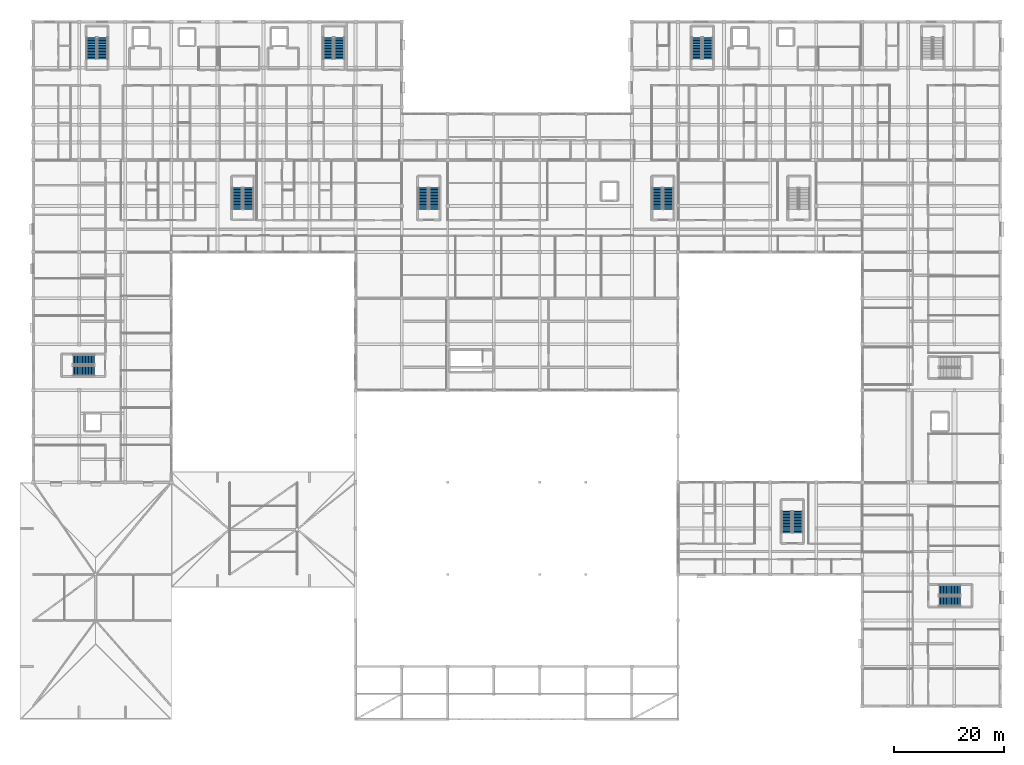
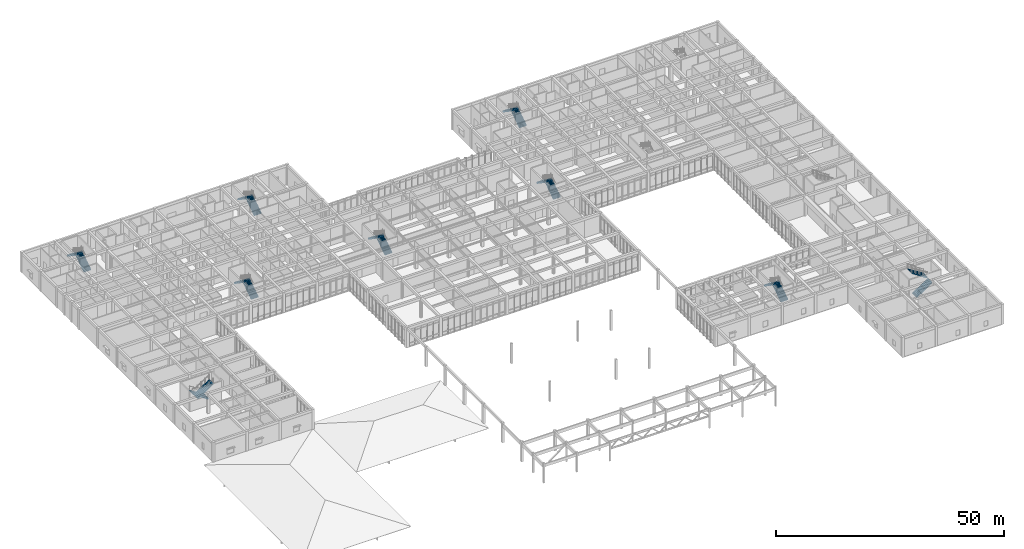
# One storey, part 72 of 89: 18 stair flights, 9 elements without a shape of their own.
"""IFC4 building model written with IfcOpenShell, lengths in metres."""

import ifcopenshell
import ifcopenshell.guid

model = None  # the IFC model being written
_history = None  # IfcOwnerHistory: only IFC2X3 demands one
_inside = {}  # id of a spatial element -> (the spatial element, [elements in it])
_under = {}  # id of a project, library or spatial element -> (it, [spatial elements below it])
_declared = {}  # id of a project -> (the project, [libraries it declares])
_typed = {}  # id of a type object -> (the type object, [elements of that type])
_made_of = {}  # id of a material, layer set ... -> (it, [elements and type objects made of it])


def new_model(schema):
    """Start an empty IFC model of exactly this schema.

    Asked for "IFC4X3", IfcOpenShell would pick the latest addendum, in which some entities
    have other attributes; the version numbers below select the first issue.
    IFC2X3 requires an IfcOwnerHistory on every rooted entity: one is made here for all.
    """
    global model, _history
    if schema == "IFC4X3":
        model = ifcopenshell.file(schema_version=(4, 3, 0, 0))
    else:
        model = ifcopenshell.file(schema=schema)
    _inside.clear()
    _under.clear()
    _declared.clear()
    _typed.clear()
    _made_of.clear()
    _history = None
    if model.schema == "IFC2X3":
        org = make("IfcOrganization", Name="unknown")
        user = make(
            "IfcPersonAndOrganization",
            ThePerson=make("IfcPerson", FamilyName="unknown"),
            TheOrganization=org,
        )
        app = make(
            "IfcApplication",
            ApplicationDeveloper=org,
            Version="unknown",
            ApplicationFullName="unknown",
            ApplicationIdentifier="unknown",
        )
        _history = make(
            "IfcOwnerHistory",
            OwningUser=user,
            OwningApplication=app,
            ChangeAction="ADDED",
            CreationDate=0,
        )
    return model


def make(cls, **values):
    """One entity of the class cls with the attributes given. An attribute that is None is left unset."""
    return model.create_entity(
        cls, **{name: value for name, value in values.items() if value is not None}
    )


def rooted(cls, **values):
    """An entity with a GlobalId (a new one), such as an element, a storey or a relation."""
    return make(cls, GlobalId=ifcopenshell.guid.new(), OwnerHistory=_history, **values)


def si_unit(unit_type, name, prefix=None):
    """IfcSIUnit, for example si_unit("LENGTHUNIT", "METRE", prefix="MILLI")."""
    return make("IfcSIUnit", UnitType=unit_type, Prefix=prefix, Name=name)


def assignment(units):
    """IfcUnitAssignment: the units of a project."""
    return None if units is None else make("IfcUnitAssignment", Units=units)


def point(xyz):
    """IfcCartesianPoint."""
    return None if xyz is None else make("IfcCartesianPoint", Coordinates=xyz)


def direction(xyz):
    """IfcDirection."""
    return None if xyz is None else make("IfcDirection", DirectionRatios=xyz)


def frame(location, z_axis=None, x_axis=None):
    """IfcAxis2Placement3D, a coordinate frame: its origin and axes. An axis left out is left unset."""
    return make(
        "IfcAxis2Placement3D",
        Location=point(location),
        Axis=direction(z_axis),
        RefDirection=direction(x_axis),
    )


def origin():
    """The frame at (0, 0, 0) with its axes left unset."""
    return frame((0.0, 0.0, 0.0))


def place(relative_to, where):
    """IfcLocalPlacement: puts the frame where relative to a parent placement (None: the world)."""
    return make(
        "IfcLocalPlacement", PlacementRelTo=relative_to, RelativePlacement=where
    )


def context(
    kind, dimensions, precision=None, world=None, true_north=None, identifier=None
):
    """IfcGeometricRepresentationContext, for example the 3D "Model" context."""
    return make(
        "IfcGeometricRepresentationContext",
        ContextIdentifier=identifier,
        ContextType=kind,
        CoordinateSpaceDimension=dimensions,
        Precision=precision,
        WorldCoordinateSystem=world,
        TrueNorth=true_north,
    )


def subcontext(parent, identifier, kind, view, scale=None):
    """IfcGeometricRepresentationSubContext, for example "Body" below "Model"."""
    return make(
        "IfcGeometricRepresentationSubContext",
        ContextIdentifier=identifier,
        ContextType=kind,
        ParentContext=parent,
        TargetScale=scale,
        TargetView=view,
    )


def project(units=None, contexts=None):
    """IfcProject with its units and contexts."""
    return rooted(
        "IfcProject",
        Name="project",
        RepresentationContexts=contexts,
        UnitsInContext=assignment(units),
    )


def spatial(cls, under=None, at=None, **own):
    """A site, building, storey or space (cls), placed at a placement, below another one or the project."""
    s = rooted(cls, ObjectPlacement=at, **own)
    if under is not None:
        _under.setdefault(under.id(), (under, []))[1].append(s)
    return s


def polyline(points):
    """IfcPolyline through the points."""
    return make("IfcPolyline", Points=[point(p) for p in points])


def outline(outer, holes=None, kind="AREA"):
    """IfcArbitraryClosedProfileDef: a profile drawn as a closed curve; with holes, ...WithVoids."""
    if holes is None:
        return make("IfcArbitraryClosedProfileDef", ProfileType=kind, OuterCurve=outer)
    return make(
        "IfcArbitraryProfileDefWithVoids",
        ProfileType=kind,
        OuterCurve=outer,
        InnerCurves=holes,
    )


def extrude(swept, where, along, depth):
    """IfcExtrudedAreaSolid: the profile swept, set in the frame where, extruded along a direction by depth."""
    return make(
        "IfcExtrudedAreaSolid",
        SweptArea=swept,
        Position=where,
        ExtrudedDirection=direction(along),
        Depth=depth,
    )


def shape(context_of_items, identifier, shape_type, items):
    """IfcShapeRepresentation: the items that make up one representation, for example the "Body"."""
    return make(
        "IfcShapeRepresentation",
        ContextOfItems=context_of_items,
        RepresentationIdentifier=identifier,
        RepresentationType=shape_type,
        Items=items,
    )


def material(Name=None, Category=None):
    """IfcMaterial."""
    return make("IfcMaterial", Name=Name, Category=Category)


def made_of(thing, what):
    """Note that an element or type object is made of a material, layer set ...; save() writes the relation."""
    if what is not None:
        _made_of.setdefault(what.id(), (what, []))[1].append(thing)
    return thing


def type_object(cls, material=None, **own):
    """A type object (cls), such as IfcWallType, which elements share."""
    return made_of(rooted(cls, **own), material)


def element(
    cls,
    number,
    at=None,
    inside=None,
    cuts=None,
    type_object=None,
    material=None,
    context=None,
    identifier="Body",
    shape_type=None,
    held_by="IfcProductDefinitionShape",
    body=None,
    shapes=None,
    **own,
):
    """One element of the class cls, such as IfcWall. Its Tag is "e" and its number.

    at: its placement. inside: the storey or other place that contains it. cuts: it is an
    opening in that element (IfcRelVoidsElement). A single representation is given by context,
    identifier, shape_type and body (its items); several are given by shapes. held_by: the class
    of the entity that holds the representations. save() writes the other relations.
    """
    e = rooted(cls, Tag="e%d" % number, ObjectPlacement=at, **own)
    if body is not None:
        shapes = [shape(context, identifier, shape_type, body)]
    if shapes is not None:
        e.Representation = make(held_by, Representations=shapes)
    if inside is not None:
        _inside.setdefault(inside.id(), (inside, []))[1].append(e)
    if cuts is not None:
        rooted(
            "IfcRelVoidsElement", RelatingBuildingElement=cuts, RelatedOpeningElement=e
        )
    if type_object is not None:
        _typed.setdefault(type_object.id(), (type_object, []))[1].append(e)
    return made_of(e, material)


def aggregate(whole, parts):
    """IfcRelAggregates: a whole, such as a stair, and the parts it consists of."""
    return rooted("IfcRelAggregates", RelatingObject=whole, RelatedObjects=parts)


def save(model, path):
    """Write the relations noted so far, then the file.

    IfcRelAggregates (storeys below a building ...), IfcRelContainedInSpatialStructure (elements
    in a storey), IfcRelDefinesByType, IfcRelAssociatesMaterial and IfcRelDeclares: one each for
    every whole, place, type object, material and project.
    """
    for whole, parts in _under.values():
        aggregate(whole, parts)
    for where, things in _inside.values():
        rooted(
            "IfcRelContainedInSpatialStructure",
            RelatedElements=things,
            RelatingStructure=where,
        )
    for kind, things in _typed.values():
        rooted("IfcRelDefinesByType", RelatedObjects=things, RelatingType=kind)
    for what, things in _made_of.values():
        rooted("IfcRelAssociatesMaterial", RelatedObjects=things, RelatingMaterial=what)
    for by, libraries in _declared.values():
        rooted("IfcRelDeclares", RelatingContext=by, RelatedDefinitions=libraries)
    model.write(path)


model = new_model("IFC4")

# Units and contexts
model_context = context("Model", 3, precision=1e-05, world=origin(), true_north=direction((0.0, 1.0)))
body_context = subcontext(model_context, "Body", "Model", "MODEL_VIEW")
ifc_project = project(units=[si_unit("LENGTHUNIT", "METRE"), si_unit("AREAUNIT", "SQUARE_METRE"), si_unit("VOLUMEUNIT", "CUBIC_METRE"), si_unit("PLANEANGLEUNIT", "RADIAN"), si_unit("MASSUNIT", "GRAM", prefix="KILO")], contexts=[model_context])

# Site, building, storey
site_placement = place(None, origin())
site = spatial("IfcSite", under=ifc_project, at=site_placement, CompositionType="ELEMENT")
building_placement = place(site_placement, origin())
building = spatial("IfcBuilding", under=site, at=building_placement, Name="Varncliffe General Hospital", CompositionType="ELEMENT")
storey_placement = place(building_placement, frame((0.0, 0.0, 10.800048828125)))
storey = spatial("IfcBuildingStorey", under=building, at=storey_placement, Name="L02", CompositionType="ELEMENT", Elevation=10.800048828125)

# Stair, stair flights
ifc_material = material(Name="Concrete C35/45 (CSA A23.1 35 MPa)", Category="concrete")
stair_type = type_object("IfcStairType", Name="Hospital Stair Assembly ST-T02 (1850w-5400h)", PredefinedType="TWO_STRAIGHT_RUN_STAIR", material=ifc_material)
stair_1_placement = place(storey_placement, origin())
stair_1 = element("IfcStair", 1, at=stair_1_placement, inside=storey, type_object=stair_type, Name="L02 North-West Ward Exit Stair 1", PredefinedType="TWO_STRAIGHT_RUN_STAIR")
stair_flight_type = type_object("IfcStairFlightType", Name="Hospital Stair Flight FL-T02 (1850w-5400h)", PredefinedType="STRAIGHT", material=ifc_material)
stair_flight_1_placement = place(storey_placement, frame((12.675048828125, 118.0, 0.0), z_axis=(0.0, 0.0, 1.0), x_axis=(0.0, 1.0, 0.0)))
stair_flight_1 = element("IfcStairFlight", 2, at=stair_flight_1_placement, type_object=stair_flight_type, Name="ST01 flight 1", NumberOfRisers=15, NumberOfTreads=14, PredefinedType="STRAIGHT", RiserHeight=0.18, TreadLength=0.28, context=body_context, shape_type="SweptSolid", body=[
    extrude(outline(polyline([(-0.02490234375, -0.14990234375), (-0.02490234375, 0.0), (0.0, 0.0), (0.0, 0.179931640625), (0.280029296875, 0.179931640625), (0.280029296875, 0.360107421875), (0.56005859375, 0.360107421875), (0.56005859375, 0.5400390625), (0.840087890625, 0.5400390625), (0.840087890625, 0.719970703125), (1.1201171875, 0.719970703125), (1.1201171875, 0.89990234375), (1.39990234375, 0.89990234375), (1.39990234375, 1.080078125), (1.679931640625, 1.080078125), (1.679931640625, 1.260009765625), (1.9599609375, 1.260009765625), (1.9599609375, 1.43994140625), (2.239990234375, 1.43994140625), (2.239990234375, 1.6201171875), (2.52001953125, 1.6201171875), (2.52001953125, 1.800048828125), (2.800048828125, 1.800048828125), (2.800048828125, 1.97998046875), (3.080078125, 1.97998046875), (3.080078125, 2.159912109375), (3.360107421875, 2.159912109375), (3.360107421875, 2.340087890625), (3.639892578125, 2.340087890625), (3.639892578125, 2.52001953125), (3.919921875, 2.52001953125), (3.919921875, 2.699951171875), (3.94482421875, 2.699951171875), (3.94482421875, 2.550048828125), (3.919921875, 2.341796875), (0.277099609375, -0.14990234375), (-0.02490234375, -0.14990234375)])), frame((0.0, 0.925048828125, 0.0), z_axis=(0.0, -1.0, 0.0), x_axis=(1.0, 0.0, 0.0)), (0.0, 0.0, 1.0), 1.85009765625),
])
stair_flight_2_placement = place(storey_placement, frame((10.625, 121.919921875, 2.699951171875), z_axis=(0.0, 0.0, 1.0), x_axis=(0.0, -1.0, 0.0)))
stair_flight_2 = element("IfcStairFlight", 3, at=stair_flight_2_placement, type_object=stair_flight_type, Name="ST01 flight 2", NumberOfRisers=15, NumberOfTreads=14, PredefinedType="STRAIGHT", RiserHeight=0.18, TreadLength=0.28, context=body_context, shape_type="SweptSolid", body=[
    extrude(outline(polyline([(-0.02490234375, -0.14990234375), (-0.02490234375, 0.0), (0.0, 0.0), (0.0, 0.179931640625), (0.280029296875, 0.179931640625), (0.280029296875, 0.360107421875), (0.56005859375, 0.360107421875), (0.56005859375, 0.5400390625), (0.840087890625, 0.5400390625), (0.840087890625, 0.719970703125), (1.1201171875, 0.719970703125), (1.1201171875, 0.89990234375), (1.39990234375, 0.89990234375), (1.39990234375, 1.080078125), (1.679931640625, 1.080078125), (1.679931640625, 1.260009765625), (1.9599609375, 1.260009765625), (1.9599609375, 1.43994140625), (2.239990234375, 1.43994140625), (2.239990234375, 1.6201171875), (2.52001953125, 1.6201171875), (2.52001953125, 1.800048828125), (2.800048828125, 1.800048828125), (2.800048828125, 1.97998046875), (3.080078125, 1.97998046875), (3.080078125, 2.159912109375), (3.360107421875, 2.159912109375), (3.360107421875, 2.340087890625), (3.639892578125, 2.340087890625), (3.639892578125, 2.52001953125), (3.919921875, 2.52001953125), (3.919921875, 2.699951171875), (3.94482421875, 2.699951171875), (3.94482421875, 2.550048828125), (3.919921875, 2.341796875), (0.277099609375, -0.14990234375), (-0.02490234375, -0.14990234375)])), frame((0.0, 0.925048828125, 0.0), z_axis=(0.0, -1.0, 0.0), x_axis=(1.0, 0.0, 0.0)), (0.0, 0.0, 1.0), 1.85009765625),
])
aggregate(stair_1, [stair_flight_1, stair_flight_2])

stair_2_placement = place(storey_placement, origin())
stair_2 = element("IfcStair", 4, at=stair_2_placement, inside=storey, type_object=stair_type, Name="L02 North-West Ward Exit Stair 2", PredefinedType="TWO_STRAIGHT_RUN_STAIR")
stair_flight_3_placement = place(storey_placement, frame((55.875, 118.0, 0.0), z_axis=(0.0, 0.0, 1.0), x_axis=(0.0, 1.0, 0.0)))
stair_flight_3 = element("IfcStairFlight", 5, at=stair_flight_3_placement, type_object=stair_flight_type, Name="ST02 flight 1", NumberOfRisers=15, NumberOfTreads=14, PredefinedType="STRAIGHT", RiserHeight=0.18, TreadLength=0.28, context=body_context, shape_type="SweptSolid", body=[
    extrude(outline(polyline([(-0.02490234375, -0.14990234375), (-0.02490234375, 0.0), (0.0, 0.0), (0.0, 0.179931640625), (0.280029296875, 0.179931640625), (0.280029296875, 0.360107421875), (0.56005859375, 0.360107421875), (0.56005859375, 0.5400390625), (0.840087890625, 0.5400390625), (0.840087890625, 0.719970703125), (1.1201171875, 0.719970703125), (1.1201171875, 0.89990234375), (1.39990234375, 0.89990234375), (1.39990234375, 1.080078125), (1.679931640625, 1.080078125), (1.679931640625, 1.260009765625), (1.9599609375, 1.260009765625), (1.9599609375, 1.43994140625), (2.239990234375, 1.43994140625), (2.239990234375, 1.6201171875), (2.52001953125, 1.6201171875), (2.52001953125, 1.800048828125), (2.800048828125, 1.800048828125), (2.800048828125, 1.97998046875), (3.080078125, 1.97998046875), (3.080078125, 2.159912109375), (3.360107421875, 2.159912109375), (3.360107421875, 2.340087890625), (3.639892578125, 2.340087890625), (3.639892578125, 2.52001953125), (3.919921875, 2.52001953125), (3.919921875, 2.699951171875), (3.94482421875, 2.699951171875), (3.94482421875, 2.550048828125), (3.919921875, 2.341796875), (0.277099609375, -0.14990234375), (-0.02490234375, -0.14990234375)])), frame((0.0, 0.925048828125, 0.0), z_axis=(0.0, -1.0, 0.0), x_axis=(1.0, 0.0, 0.0)), (0.0, 0.0, 1.0), 1.85009765625),
])
stair_flight_4_placement = place(storey_placement, frame((53.824951171875, 121.919921875, 2.699951171875), z_axis=(0.0, 0.0, 1.0), x_axis=(0.0, -1.0, 0.0)))
stair_flight_4 = element("IfcStairFlight", 6, at=stair_flight_4_placement, type_object=stair_flight_type, Name="ST02 flight 2", NumberOfRisers=15, NumberOfTreads=14, PredefinedType="STRAIGHT", RiserHeight=0.18, TreadLength=0.28, context=body_context, shape_type="SweptSolid", body=[
    extrude(outline(polyline([(-0.02490234375, -0.14990234375), (-0.02490234375, 0.0), (0.0, 0.0), (0.0, 0.179931640625), (0.280029296875, 0.179931640625), (0.280029296875, 0.360107421875), (0.56005859375, 0.360107421875), (0.56005859375, 0.5400390625), (0.840087890625, 0.5400390625), (0.840087890625, 0.719970703125), (1.1201171875, 0.719970703125), (1.1201171875, 0.89990234375), (1.39990234375, 0.89990234375), (1.39990234375, 1.080078125), (1.679931640625, 1.080078125), (1.679931640625, 1.260009765625), (1.9599609375, 1.260009765625), (1.9599609375, 1.43994140625), (2.239990234375, 1.43994140625), (2.239990234375, 1.6201171875), (2.52001953125, 1.6201171875), (2.52001953125, 1.800048828125), (2.800048828125, 1.800048828125), (2.800048828125, 1.97998046875), (3.080078125, 1.97998046875), (3.080078125, 2.159912109375), (3.360107421875, 2.159912109375), (3.360107421875, 2.340087890625), (3.639892578125, 2.340087890625), (3.639892578125, 2.52001953125), (3.919921875, 2.52001953125), (3.919921875, 2.699951171875), (3.94482421875, 2.699951171875), (3.94482421875, 2.550048828125), (3.919921875, 2.341796875), (0.277099609375, -0.14990234375), (-0.02490234375, -0.14990234375)])), frame((0.0, 0.925048828125, 0.0), z_axis=(0.0, -1.0, 0.0), x_axis=(1.0, 0.0, 0.0)), (0.0, 0.0, 1.0), 1.85009765625),
])
aggregate(stair_2, [stair_flight_3, stair_flight_4])

stair_3_placement = place(storey_placement, origin())
stair_3 = element("IfcStair", 7, at=stair_3_placement, inside=storey, type_object=stair_type, Name="L02 North-East Ward Exit Stair 3", PredefinedType="TWO_STRAIGHT_RUN_STAIR")
stair_flight_5_placement = place(storey_placement, frame((123.074951171875, 118.0, 0.0), z_axis=(0.0, 0.0, 1.0), x_axis=(0.0, 1.0, 0.0)))
stair_flight_5 = element("IfcStairFlight", 8, at=stair_flight_5_placement, type_object=stair_flight_type, Name="ST03 flight 1", NumberOfRisers=15, NumberOfTreads=14, PredefinedType="STRAIGHT", RiserHeight=0.18, TreadLength=0.28, context=body_context, shape_type="SweptSolid", body=[
    extrude(outline(polyline([(-0.02490234375, -0.14990234375), (-0.02490234375, 0.0), (0.0, 0.0), (0.0, 0.179931640625), (0.280029296875, 0.179931640625), (0.280029296875, 0.360107421875), (0.56005859375, 0.360107421875), (0.56005859375, 0.5400390625), (0.840087890625, 0.5400390625), (0.840087890625, 0.719970703125), (1.1201171875, 0.719970703125), (1.1201171875, 0.89990234375), (1.39990234375, 0.89990234375), (1.39990234375, 1.080078125), (1.679931640625, 1.080078125), (1.679931640625, 1.260009765625), (1.9599609375, 1.260009765625), (1.9599609375, 1.43994140625), (2.239990234375, 1.43994140625), (2.239990234375, 1.6201171875), (2.52001953125, 1.6201171875), (2.52001953125, 1.800048828125), (2.800048828125, 1.800048828125), (2.800048828125, 1.97998046875), (3.080078125, 1.97998046875), (3.080078125, 2.159912109375), (3.360107421875, 2.159912109375), (3.360107421875, 2.340087890625), (3.639892578125, 2.340087890625), (3.639892578125, 2.52001953125), (3.919921875, 2.52001953125), (3.919921875, 2.699951171875), (3.94482421875, 2.699951171875), (3.94482421875, 2.550048828125), (3.919921875, 2.341796875), (0.277099609375, -0.14990234375), (-0.02490234375, -0.14990234375)])), frame((0.0, 0.925048828125, 0.0), z_axis=(0.0, -1.0, 0.0), x_axis=(1.0, 0.0, 0.0)), (0.0, 0.0, 1.0), 1.85009765625),
])
stair_flight_6_placement = place(storey_placement, frame((121.02490234375, 121.919921875, 2.699951171875), z_axis=(0.0, 0.0, 1.0), x_axis=(0.0, -1.0, 0.0)))
stair_flight_6 = element("IfcStairFlight", 9, at=stair_flight_6_placement, type_object=stair_flight_type, Name="ST03 flight 2", NumberOfRisers=15, NumberOfTreads=14, PredefinedType="STRAIGHT", RiserHeight=0.18, TreadLength=0.28, context=body_context, shape_type="SweptSolid", body=[
    extrude(outline(polyline([(-0.02490234375, -0.14990234375), (-0.02490234375, 0.0), (0.0, 0.0), (0.0, 0.179931640625), (0.280029296875, 0.179931640625), (0.280029296875, 0.360107421875), (0.56005859375, 0.360107421875), (0.56005859375, 0.5400390625), (0.840087890625, 0.5400390625), (0.840087890625, 0.719970703125), (1.1201171875, 0.719970703125), (1.1201171875, 0.89990234375), (1.39990234375, 0.89990234375), (1.39990234375, 1.080078125), (1.679931640625, 1.080078125), (1.679931640625, 1.260009765625), (1.9599609375, 1.260009765625), (1.9599609375, 1.43994140625), (2.239990234375, 1.43994140625), (2.239990234375, 1.6201171875), (2.52001953125, 1.6201171875), (2.52001953125, 1.800048828125), (2.800048828125, 1.800048828125), (2.800048828125, 1.97998046875), (3.080078125, 1.97998046875), (3.080078125, 2.159912109375), (3.360107421875, 2.159912109375), (3.360107421875, 2.340087890625), (3.639892578125, 2.340087890625), (3.639892578125, 2.52001953125), (3.919921875, 2.52001953125), (3.919921875, 2.699951171875), (3.94482421875, 2.699951171875), (3.94482421875, 2.550048828125), (3.919921875, 2.341796875), (0.277099609375, -0.14990234375), (-0.02490234375, -0.14990234375)])), frame((0.0, 0.925048828125, 0.0), z_axis=(0.0, -1.0, 0.0), x_axis=(1.0, 0.0, 0.0)), (0.0, 0.0, 1.0), 1.85009765625),
])
aggregate(stair_3, [stair_flight_5, stair_flight_6])

stair_4_placement = place(storey_placement, origin())
stair_4 = element("IfcStair", 10, at=stair_4_placement, inside=storey, type_object=stair_type, Name="L02 Diagnostic West Exit Stair 5", PredefinedType="TWO_STRAIGHT_RUN_STAIR")
stair_flight_7_placement = place(storey_placement, frame((11.199951171875, 63.175048828125, 0.0), z_axis=(0.0, 0.0, 1.0), x_axis=(-1.0, 0.0, 0.0)))
stair_flight_7 = element("IfcStairFlight", 11, at=stair_flight_7_placement, type_object=stair_flight_type, Name="ST05 flight 1", NumberOfRisers=15, NumberOfTreads=14, PredefinedType="STRAIGHT", RiserHeight=0.18, TreadLength=0.28, context=body_context, shape_type="SweptSolid", body=[
    extrude(outline(polyline([(-0.02490234375, -0.14990234375), (-0.02490234375, 0.0), (0.0, 0.0), (0.0, 0.179931640625), (0.280029296875, 0.179931640625), (0.280029296875, 0.360107421875), (0.56005859375, 0.360107421875), (0.56005859375, 0.5400390625), (0.840087890625, 0.5400390625), (0.840087890625, 0.719970703125), (1.1201171875, 0.719970703125), (1.1201171875, 0.89990234375), (1.39990234375, 0.89990234375), (1.39990234375, 1.080078125), (1.679931640625, 1.080078125), (1.679931640625, 1.260009765625), (1.9599609375, 1.260009765625), (1.9599609375, 1.43994140625), (2.239990234375, 1.43994140625), (2.239990234375, 1.6201171875), (2.52001953125, 1.6201171875), (2.52001953125, 1.800048828125), (2.800048828125, 1.800048828125), (2.800048828125, 1.97998046875), (3.080078125, 1.97998046875), (3.080078125, 2.159912109375), (3.360107421875, 2.159912109375), (3.360107421875, 2.340087890625), (3.639892578125, 2.340087890625), (3.639892578125, 2.52001953125), (3.919921875, 2.52001953125), (3.919921875, 2.699951171875), (3.94482421875, 2.699951171875), (3.94482421875, 2.550048828125), (3.919921875, 2.341796875), (0.277099609375, -0.14990234375), (-0.02490234375, -0.14990234375)])), frame((0.0, 0.925048828125, 0.0), z_axis=(0.0, -1.0, 0.0), x_axis=(1.0, 0.0, 0.0)), (0.0, 0.0, 1.0), 1.85009765625),
])
stair_flight_8_placement = place(storey_placement, frame((7.280029296875, 61.125, 2.699951171875), z_axis=(0.0, 0.0, 1.0), x_axis=(1.0, 0.0, 0.0)))
stair_flight_8 = element("IfcStairFlight", 12, at=stair_flight_8_placement, type_object=stair_flight_type, Name="ST05 flight 2", NumberOfRisers=15, NumberOfTreads=14, PredefinedType="STRAIGHT", RiserHeight=0.18, TreadLength=0.28, context=body_context, shape_type="SweptSolid", body=[
    extrude(outline(polyline([(-0.02490234375, -0.14990234375), (-0.02490234375, 0.0), (0.0, 0.0), (0.0, 0.179931640625), (0.280029296875, 0.179931640625), (0.280029296875, 0.360107421875), (0.56005859375, 0.360107421875), (0.56005859375, 0.5400390625), (0.840087890625, 0.5400390625), (0.840087890625, 0.719970703125), (1.1201171875, 0.719970703125), (1.1201171875, 0.89990234375), (1.39990234375, 0.89990234375), (1.39990234375, 1.080078125), (1.679931640625, 1.080078125), (1.679931640625, 1.260009765625), (1.9599609375, 1.260009765625), (1.9599609375, 1.43994140625), (2.239990234375, 1.43994140625), (2.239990234375, 1.6201171875), (2.52001953125, 1.6201171875), (2.52001953125, 1.800048828125), (2.800048828125, 1.800048828125), (2.800048828125, 1.97998046875), (3.080078125, 1.97998046875), (3.080078125, 2.159912109375), (3.360107421875, 2.159912109375), (3.360107421875, 2.340087890625), (3.639892578125, 2.340087890625), (3.639892578125, 2.52001953125), (3.919921875, 2.52001953125), (3.919921875, 2.699951171875), (3.94482421875, 2.699951171875), (3.94482421875, 2.550048828125), (3.919921875, 2.341796875), (0.277099609375, -0.14990234375), (-0.02490234375, -0.14990234375)])), frame((0.0, 0.925048828125, 0.0), z_axis=(0.0, -1.0, 0.0), x_axis=(1.0, 0.0, 0.0)), (0.0, 0.0, 1.0), 1.85009765625),
])
aggregate(stair_4, [stair_flight_7, stair_flight_8])

stair_5_placement = place(storey_placement, origin())
stair_5 = element("IfcStair", 13, at=stair_5_placement, inside=storey, type_object=stair_type, Name="L02 Surgical and Helipad Exit Stair 6", PredefinedType="TWO_STRAIGHT_RUN_STAIR")
stair_flight_9_placement = place(storey_placement, frame((115.875, 90.60009765625, 0.0), z_axis=(0.0, 0.0, 1.0), x_axis=(0.0, 1.0, 0.0)))
stair_flight_9 = element("IfcStairFlight", 14, at=stair_flight_9_placement, type_object=stair_flight_type, Name="ST06 flight 1", NumberOfRisers=15, NumberOfTreads=14, PredefinedType="STRAIGHT", RiserHeight=0.18, TreadLength=0.28, context=body_context, shape_type="SweptSolid", body=[
    extrude(outline(polyline([(-0.02490234375, -0.14990234375), (-0.02490234375, 0.0), (0.0, 0.0), (0.0, 0.179931640625), (0.280029296875, 0.179931640625), (0.280029296875, 0.360107421875), (0.56005859375, 0.360107421875), (0.56005859375, 0.5400390625), (0.840087890625, 0.5400390625), (0.840087890625, 0.719970703125), (1.1201171875, 0.719970703125), (1.1201171875, 0.89990234375), (1.39990234375, 0.89990234375), (1.39990234375, 1.080078125), (1.679931640625, 1.080078125), (1.679931640625, 1.260009765625), (1.9599609375, 1.260009765625), (1.9599609375, 1.43994140625), (2.239990234375, 1.43994140625), (2.239990234375, 1.6201171875), (2.52001953125, 1.6201171875), (2.52001953125, 1.800048828125), (2.800048828125, 1.800048828125), (2.800048828125, 1.97998046875), (3.080078125, 1.97998046875), (3.080078125, 2.159912109375), (3.360107421875, 2.159912109375), (3.360107421875, 2.340087890625), (3.639892578125, 2.340087890625), (3.639892578125, 2.52001953125), (3.919921875, 2.52001953125), (3.919921875, 2.699951171875), (3.94482421875, 2.699951171875), (3.94482421875, 2.550048828125), (3.919921875, 2.341796875), (0.277099609375, -0.14990234375), (-0.02490234375, -0.14990234375)])), frame((0.0, 0.925048828125, 0.0), z_axis=(0.0, -1.0, 0.0), x_axis=(1.0, 0.0, 0.0)), (0.0, 0.0, 1.0), 1.85009765625),
])
stair_flight_10_placement = place(storey_placement, frame((113.824951171875, 94.52001953125, 2.699951171875), z_axis=(0.0, 0.0, 1.0), x_axis=(0.0, -1.0, 0.0)))
stair_flight_10 = element("IfcStairFlight", 15, at=stair_flight_10_placement, type_object=stair_flight_type, Name="ST06 flight 2", NumberOfRisers=15, NumberOfTreads=14, PredefinedType="STRAIGHT", RiserHeight=0.18, TreadLength=0.28, context=body_context, shape_type="SweptSolid", body=[
    extrude(outline(polyline([(-0.02490234375, -0.14990234375), (-0.02490234375, 0.0), (0.0, 0.0), (0.0, 0.179931640625), (0.280029296875, 0.179931640625), (0.280029296875, 0.360107421875), (0.56005859375, 0.360107421875), (0.56005859375, 0.5400390625), (0.840087890625, 0.5400390625), (0.840087890625, 0.719970703125), (1.1201171875, 0.719970703125), (1.1201171875, 0.89990234375), (1.39990234375, 0.89990234375), (1.39990234375, 1.080078125), (1.679931640625, 1.080078125), (1.679931640625, 1.260009765625), (1.9599609375, 1.260009765625), (1.9599609375, 1.43994140625), (2.239990234375, 1.43994140625), (2.239990234375, 1.6201171875), (2.52001953125, 1.6201171875), (2.52001953125, 1.800048828125), (2.800048828125, 1.800048828125), (2.800048828125, 1.97998046875), (3.080078125, 1.97998046875), (3.080078125, 2.159912109375), (3.360107421875, 2.159912109375), (3.360107421875, 2.340087890625), (3.639892578125, 2.340087890625), (3.639892578125, 2.52001953125), (3.919921875, 2.52001953125), (3.919921875, 2.699951171875), (3.94482421875, 2.699951171875), (3.94482421875, 2.550048828125), (3.919921875, 2.341796875), (0.277099609375, -0.14990234375), (-0.02490234375, -0.14990234375)])), frame((0.0, 0.925048828125, 0.0), z_axis=(0.0, -1.0, 0.0), x_axis=(1.0, 0.0, 0.0)), (0.0, 0.0, 1.0), 1.85009765625),
])
aggregate(stair_5, [stair_flight_9, stair_flight_10])

stair_6_placement = place(storey_placement, origin())
stair_6 = element("IfcStair", 16, at=stair_6_placement, inside=storey, type_object=stair_type, Name="L02 Outpatient South-East Exit Stair 11", PredefinedType="TWO_STRAIGHT_RUN_STAIR")
stair_flight_11_placement = place(storey_placement, frame((165.199951171875, 19.125, 0.0), z_axis=(0.0, 0.0, 1.0), x_axis=(1.0, 0.0, 0.0)))
stair_flight_11 = element("IfcStairFlight", 17, at=stair_flight_11_placement, type_object=stair_flight_type, Name="ST11 flight 1", NumberOfRisers=15, NumberOfTreads=14, PredefinedType="STRAIGHT", RiserHeight=0.18, TreadLength=0.28, context=body_context, shape_type="SweptSolid", body=[
    extrude(outline(polyline([(-0.02490234375, -0.14990234375), (-0.02490234375, 0.0), (0.0, 0.0), (0.0, 0.179931640625), (0.280029296875, 0.179931640625), (0.280029296875, 0.360107421875), (0.56005859375, 0.360107421875), (0.56005859375, 0.5400390625), (0.840087890625, 0.5400390625), (0.840087890625, 0.719970703125), (1.1201171875, 0.719970703125), (1.1201171875, 0.89990234375), (1.39990234375, 0.89990234375), (1.39990234375, 1.080078125), (1.679931640625, 1.080078125), (1.679931640625, 1.260009765625), (1.9599609375, 1.260009765625), (1.9599609375, 1.43994140625), (2.239990234375, 1.43994140625), (2.239990234375, 1.6201171875), (2.52001953125, 1.6201171875), (2.52001953125, 1.800048828125), (2.800048828125, 1.800048828125), (2.800048828125, 1.97998046875), (3.080078125, 1.97998046875), (3.080078125, 2.159912109375), (3.360107421875, 2.159912109375), (3.360107421875, 2.340087890625), (3.639892578125, 2.340087890625), (3.639892578125, 2.52001953125), (3.919921875, 2.52001953125), (3.919921875, 2.699951171875), (3.94482421875, 2.699951171875), (3.94482421875, 2.550048828125), (3.919921875, 2.341796875), (0.277099609375, -0.14990234375), (-0.02490234375, -0.14990234375)])), frame((0.0, 0.925048828125, 0.0), z_axis=(0.0, -1.0, 0.0), x_axis=(1.0, 0.0, 0.0)), (0.0, 0.0, 1.0), 1.85009765625),
])
stair_flight_12_placement = place(storey_placement, frame((169.1201171875, 21.175048828125, 2.699951171875), z_axis=(0.0, 0.0, 1.0), x_axis=(-1.0, 0.0, 0.0)))
stair_flight_12 = element("IfcStairFlight", 18, at=stair_flight_12_placement, type_object=stair_flight_type, Name="ST11 flight 2", NumberOfRisers=15, NumberOfTreads=14, PredefinedType="STRAIGHT", RiserHeight=0.18, TreadLength=0.28, context=body_context, shape_type="SweptSolid", body=[
    extrude(outline(polyline([(-0.02490234375, -0.14990234375), (-0.02490234375, 0.0), (0.0, 0.0), (0.0, 0.179931640625), (0.280029296875, 0.179931640625), (0.280029296875, 0.360107421875), (0.56005859375, 0.360107421875), (0.56005859375, 0.5400390625), (0.840087890625, 0.5400390625), (0.840087890625, 0.719970703125), (1.1201171875, 0.719970703125), (1.1201171875, 0.89990234375), (1.39990234375, 0.89990234375), (1.39990234375, 1.080078125), (1.679931640625, 1.080078125), (1.679931640625, 1.260009765625), (1.9599609375, 1.260009765625), (1.9599609375, 1.43994140625), (2.239990234375, 1.43994140625), (2.239990234375, 1.6201171875), (2.52001953125, 1.6201171875), (2.52001953125, 1.800048828125), (2.800048828125, 1.800048828125), (2.800048828125, 1.97998046875), (3.080078125, 1.97998046875), (3.080078125, 2.159912109375), (3.360107421875, 2.159912109375), (3.360107421875, 2.340087890625), (3.639892578125, 2.340087890625), (3.639892578125, 2.52001953125), (3.919921875, 2.52001953125), (3.919921875, 2.699951171875), (3.94482421875, 2.699951171875), (3.94482421875, 2.550048828125), (3.919921875, 2.341796875), (0.277099609375, -0.14990234375), (-0.02490234375, -0.14990234375)])), frame((0.0, 0.925048828125, 0.0), z_axis=(0.0, -1.0, 0.0), x_axis=(1.0, 0.0, 0.0)), (0.0, 0.0, 1.0), 1.85009765625),
])
aggregate(stair_6, [stair_flight_11, stair_flight_12])

stair_7_placement = place(storey_placement, origin())
stair_7 = element("IfcStair", 19, at=stair_7_placement, inside=storey, type_object=stair_type, Name="L02 Surgical West Exit Stair 12", PredefinedType="TWO_STRAIGHT_RUN_STAIR")
stair_flight_13_placement = place(storey_placement, frame((73.175048828125, 90.60009765625, 0.0), z_axis=(0.0, 0.0, 1.0), x_axis=(0.0, 1.0, 0.0)))
stair_flight_13 = element("IfcStairFlight", 20, at=stair_flight_13_placement, type_object=stair_flight_type, Name="ST12 flight 1", NumberOfRisers=15, NumberOfTreads=14, PredefinedType="STRAIGHT", RiserHeight=0.18, TreadLength=0.28, context=body_context, shape_type="SweptSolid", body=[
    extrude(outline(polyline([(-0.02490234375, -0.14990234375), (-0.02490234375, 0.0), (0.0, 0.0), (0.0, 0.179931640625), (0.280029296875, 0.179931640625), (0.280029296875, 0.360107421875), (0.56005859375, 0.360107421875), (0.56005859375, 0.5400390625), (0.840087890625, 0.5400390625), (0.840087890625, 0.719970703125), (1.1201171875, 0.719970703125), (1.1201171875, 0.89990234375), (1.39990234375, 0.89990234375), (1.39990234375, 1.080078125), (1.679931640625, 1.080078125), (1.679931640625, 1.260009765625), (1.9599609375, 1.260009765625), (1.9599609375, 1.43994140625), (2.239990234375, 1.43994140625), (2.239990234375, 1.6201171875), (2.52001953125, 1.6201171875), (2.52001953125, 1.800048828125), (2.800048828125, 1.800048828125), (2.800048828125, 1.97998046875), (3.080078125, 1.97998046875), (3.080078125, 2.159912109375), (3.360107421875, 2.159912109375), (3.360107421875, 2.340087890625), (3.639892578125, 2.340087890625), (3.639892578125, 2.52001953125), (3.919921875, 2.52001953125), (3.919921875, 2.699951171875), (3.94482421875, 2.699951171875), (3.94482421875, 2.550048828125), (3.919921875, 2.341796875), (0.277099609375, -0.14990234375), (-0.02490234375, -0.14990234375)])), frame((0.0, 0.925048828125, 0.0), z_axis=(0.0, -1.0, 0.0), x_axis=(1.0, 0.0, 0.0)), (0.0, 0.0, 1.0), 1.85009765625),
])
stair_flight_14_placement = place(storey_placement, frame((71.125, 94.52001953125, 2.699951171875), z_axis=(0.0, 0.0, 1.0), x_axis=(0.0, -1.0, 0.0)))
stair_flight_14 = element("IfcStairFlight", 21, at=stair_flight_14_placement, type_object=stair_flight_type, Name="ST12 flight 2", NumberOfRisers=15, NumberOfTreads=14, PredefinedType="STRAIGHT", RiserHeight=0.18, TreadLength=0.28, context=body_context, shape_type="SweptSolid", body=[
    extrude(outline(polyline([(-0.02490234375, -0.14990234375), (-0.02490234375, 0.0), (0.0, 0.0), (0.0, 0.179931640625), (0.280029296875, 0.179931640625), (0.280029296875, 0.360107421875), (0.56005859375, 0.360107421875), (0.56005859375, 0.5400390625), (0.840087890625, 0.5400390625), (0.840087890625, 0.719970703125), (1.1201171875, 0.719970703125), (1.1201171875, 0.89990234375), (1.39990234375, 0.89990234375), (1.39990234375, 1.080078125), (1.679931640625, 1.080078125), (1.679931640625, 1.260009765625), (1.9599609375, 1.260009765625), (1.9599609375, 1.43994140625), (2.239990234375, 1.43994140625), (2.239990234375, 1.6201171875), (2.52001953125, 1.6201171875), (2.52001953125, 1.800048828125), (2.800048828125, 1.800048828125), (2.800048828125, 1.97998046875), (3.080078125, 1.97998046875), (3.080078125, 2.159912109375), (3.360107421875, 2.159912109375), (3.360107421875, 2.340087890625), (3.639892578125, 2.340087890625), (3.639892578125, 2.52001953125), (3.919921875, 2.52001953125), (3.919921875, 2.699951171875), (3.94482421875, 2.699951171875), (3.94482421875, 2.550048828125), (3.919921875, 2.341796875), (0.277099609375, -0.14990234375), (-0.02490234375, -0.14990234375)])), frame((0.0, 0.925048828125, 0.0), z_axis=(0.0, -1.0, 0.0), x_axis=(1.0, 0.0, 0.0)), (0.0, 0.0, 1.0), 1.85009765625),
])
aggregate(stair_7, [stair_flight_13, stair_flight_14])

stair_8_placement = place(storey_placement, origin())
stair_8 = element("IfcStair", 22, at=stair_8_placement, inside=storey, type_object=stair_type, Name="L02 West-Central Clinical Exit Stair 13", PredefinedType="TWO_STRAIGHT_RUN_STAIR")
stair_flight_15_placement = place(storey_placement, frame((39.27490234375, 90.60009765625, 0.0), z_axis=(0.0, 0.0, 1.0), x_axis=(0.0, 1.0, 0.0)))
stair_flight_15 = element("IfcStairFlight", 23, at=stair_flight_15_placement, type_object=stair_flight_type, Name="ST13 flight 1", NumberOfRisers=15, NumberOfTreads=14, PredefinedType="STRAIGHT", RiserHeight=0.18, TreadLength=0.28, context=body_context, shape_type="SweptSolid", body=[
    extrude(outline(polyline([(-0.02490234375, -0.14990234375), (-0.02490234375, 0.0), (0.0, 0.0), (0.0, 0.179931640625), (0.280029296875, 0.179931640625), (0.280029296875, 0.360107421875), (0.56005859375, 0.360107421875), (0.56005859375, 0.5400390625), (0.840087890625, 0.5400390625), (0.840087890625, 0.719970703125), (1.1201171875, 0.719970703125), (1.1201171875, 0.89990234375), (1.39990234375, 0.89990234375), (1.39990234375, 1.080078125), (1.679931640625, 1.080078125), (1.679931640625, 1.260009765625), (1.9599609375, 1.260009765625), (1.9599609375, 1.43994140625), (2.239990234375, 1.43994140625), (2.239990234375, 1.6201171875), (2.52001953125, 1.6201171875), (2.52001953125, 1.800048828125), (2.800048828125, 1.800048828125), (2.800048828125, 1.97998046875), (3.080078125, 1.97998046875), (3.080078125, 2.159912109375), (3.360107421875, 2.159912109375), (3.360107421875, 2.340087890625), (3.639892578125, 2.340087890625), (3.639892578125, 2.52001953125), (3.919921875, 2.52001953125), (3.919921875, 2.699951171875), (3.94482421875, 2.699951171875), (3.94482421875, 2.550048828125), (3.919921875, 2.341796875), (0.277099609375, -0.14990234375), (-0.02490234375, -0.14990234375)])), frame((0.0, 0.925048828125, 0.0), z_axis=(0.0, -1.0, 0.0), x_axis=(1.0, 0.0, 0.0)), (0.0, 0.0, 1.0), 1.85009765625),
])
stair_flight_16_placement = place(storey_placement, frame((37.22509765625, 94.52001953125, 2.699951171875), z_axis=(0.0, 0.0, 1.0), x_axis=(0.0, -1.0, 0.0)))
stair_flight_16 = element("IfcStairFlight", 24, at=stair_flight_16_placement, type_object=stair_flight_type, Name="ST13 flight 2", NumberOfRisers=15, NumberOfTreads=14, PredefinedType="STRAIGHT", RiserHeight=0.18, TreadLength=0.28, context=body_context, shape_type="SweptSolid", body=[
    extrude(outline(polyline([(-0.02490234375, -0.14990234375), (-0.02490234375, 0.0), (0.0, 0.0), (0.0, 0.179931640625), (0.280029296875, 0.179931640625), (0.280029296875, 0.360107421875), (0.56005859375, 0.360107421875), (0.56005859375, 0.5400390625), (0.840087890625, 0.5400390625), (0.840087890625, 0.719970703125), (1.1201171875, 0.719970703125), (1.1201171875, 0.89990234375), (1.39990234375, 0.89990234375), (1.39990234375, 1.080078125), (1.679931640625, 1.080078125), (1.679931640625, 1.260009765625), (1.9599609375, 1.260009765625), (1.9599609375, 1.43994140625), (2.239990234375, 1.43994140625), (2.239990234375, 1.6201171875), (2.52001953125, 1.6201171875), (2.52001953125, 1.800048828125), (2.800048828125, 1.800048828125), (2.800048828125, 1.97998046875), (3.080078125, 1.97998046875), (3.080078125, 2.159912109375), (3.360107421875, 2.159912109375), (3.360107421875, 2.340087890625), (3.639892578125, 2.340087890625), (3.639892578125, 2.52001953125), (3.919921875, 2.52001953125), (3.919921875, 2.699951171875), (3.94482421875, 2.699951171875), (3.94482421875, 2.550048828125), (3.919921875, 2.341796875), (0.277099609375, -0.14990234375), (-0.02490234375, -0.14990234375)])), frame((0.0, 0.925048828125, 0.0), z_axis=(0.0, -1.0, 0.0), x_axis=(1.0, 0.0, 0.0)), (0.0, 0.0, 1.0), 1.85009765625),
])
aggregate(stair_8, [stair_flight_15, stair_flight_16])

stair_9_placement = place(storey_placement, origin())
stair_9 = element("IfcStair", 25, at=stair_9_placement, inside=storey, type_object=stair_type, Name="L02 Outpatient Cloister Exit Stair 15", PredefinedType="TWO_STRAIGHT_RUN_STAIR")
stair_flight_17_placement = place(storey_placement, frame((139.47509765625, 31.60009765625, 0.0), z_axis=(0.0, 0.0, 1.0), x_axis=(0.0, 1.0, 0.0)))
stair_flight_17 = element("IfcStairFlight", 26, at=stair_flight_17_placement, type_object=stair_flight_type, Name="ST15 flight 1", NumberOfRisers=15, NumberOfTreads=14, PredefinedType="STRAIGHT", RiserHeight=0.18, TreadLength=0.28, context=body_context, shape_type="SweptSolid", body=[
    extrude(outline(polyline([(-0.02490234375, -0.14990234375), (-0.02490234375, 0.0), (0.0, 0.0), (0.0, 0.179931640625), (0.280029296875, 0.179931640625), (0.280029296875, 0.360107421875), (0.56005859375, 0.360107421875), (0.56005859375, 0.5400390625), (0.840087890625, 0.5400390625), (0.840087890625, 0.719970703125), (1.1201171875, 0.719970703125), (1.1201171875, 0.89990234375), (1.39990234375, 0.89990234375), (1.39990234375, 1.080078125), (1.679931640625, 1.080078125), (1.679931640625, 1.260009765625), (1.9599609375, 1.260009765625), (1.9599609375, 1.43994140625), (2.239990234375, 1.43994140625), (2.239990234375, 1.6201171875), (2.52001953125, 1.6201171875), (2.52001953125, 1.800048828125), (2.800048828125, 1.800048828125), (2.800048828125, 1.97998046875), (3.080078125, 1.97998046875), (3.080078125, 2.159912109375), (3.360107421875, 2.159912109375), (3.360107421875, 2.340087890625), (3.639892578125, 2.340087890625), (3.639892578125, 2.52001953125), (3.919921875, 2.52001953125), (3.919921875, 2.699951171875), (3.94482421875, 2.699951171875), (3.94482421875, 2.550048828125), (3.919921875, 2.341796875), (0.277099609375, -0.14990234375), (-0.02490234375, -0.14990234375)])), frame((0.0, 0.925048828125, 0.0), z_axis=(0.0, -1.0, 0.0), x_axis=(1.0, 0.0, 0.0)), (0.0, 0.0, 1.0), 1.85009765625),
])
stair_flight_18_placement = place(storey_placement, frame((137.425048828125, 35.52001953125, 2.699951171875), z_axis=(0.0, 0.0, 1.0), x_axis=(0.0, -1.0, 0.0)))
stair_flight_18 = element("IfcStairFlight", 27, at=stair_flight_18_placement, type_object=stair_flight_type, Name="ST15 flight 2", NumberOfRisers=15, NumberOfTreads=14, PredefinedType="STRAIGHT", RiserHeight=0.18, TreadLength=0.28, context=body_context, shape_type="SweptSolid", body=[
    extrude(outline(polyline([(-0.02490234375, -0.14990234375), (-0.02490234375, 0.0), (0.0, 0.0), (0.0, 0.179931640625), (0.280029296875, 0.179931640625), (0.280029296875, 0.360107421875), (0.56005859375, 0.360107421875), (0.56005859375, 0.5400390625), (0.840087890625, 0.5400390625), (0.840087890625, 0.719970703125), (1.1201171875, 0.719970703125), (1.1201171875, 0.89990234375), (1.39990234375, 0.89990234375), (1.39990234375, 1.080078125), (1.679931640625, 1.080078125), (1.679931640625, 1.260009765625), (1.9599609375, 1.260009765625), (1.9599609375, 1.43994140625), (2.239990234375, 1.43994140625), (2.239990234375, 1.6201171875), (2.52001953125, 1.6201171875), (2.52001953125, 1.800048828125), (2.800048828125, 1.800048828125), (2.800048828125, 1.97998046875), (3.080078125, 1.97998046875), (3.080078125, 2.159912109375), (3.360107421875, 2.159912109375), (3.360107421875, 2.340087890625), (3.639892578125, 2.340087890625), (3.639892578125, 2.52001953125), (3.919921875, 2.52001953125), (3.919921875, 2.699951171875), (3.94482421875, 2.699951171875), (3.94482421875, 2.550048828125), (3.919921875, 2.341796875), (0.277099609375, -0.14990234375), (-0.02490234375, -0.14990234375)])), frame((0.0, 0.925048828125, 0.0), z_axis=(0.0, -1.0, 0.0), x_axis=(1.0, 0.0, 0.0)), (0.0, 0.0, 1.0), 1.85009765625),
])
aggregate(stair_9, [stair_flight_17, stair_flight_18])

save(model, "model.ifc")
